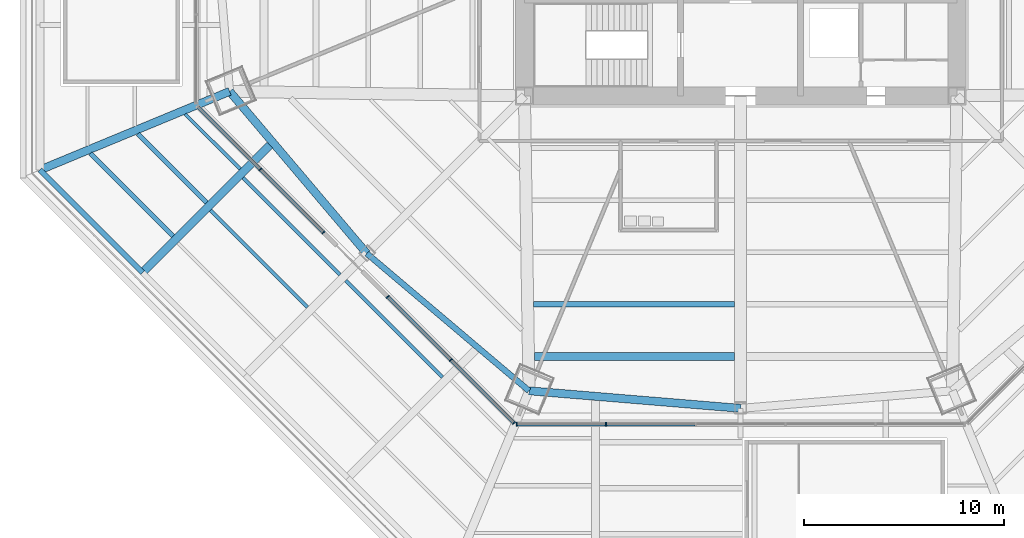
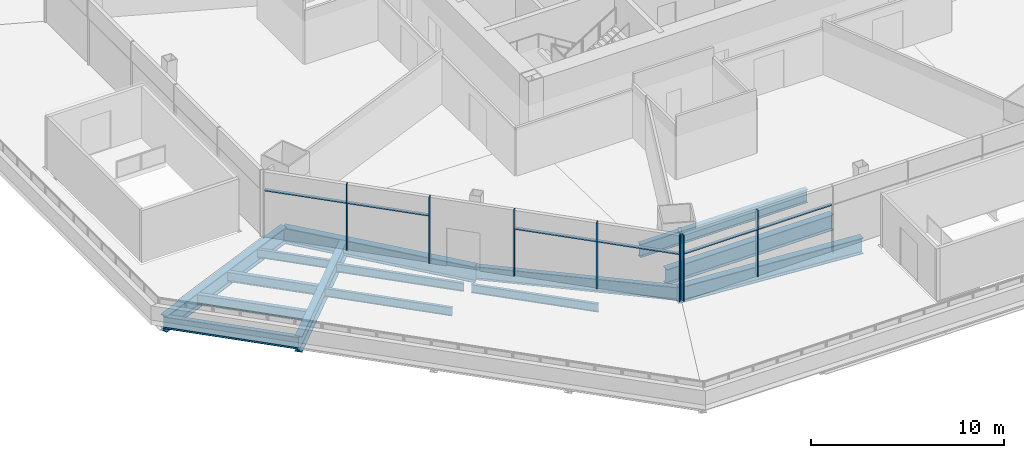
# One storey, part 2 of 25: 14 beams, 13 members, 3 elements without a shape of their own.
"""IFC4 building model written with IfcOpenShell, lengths in metres."""

from ifc_helpers import new_model, si_unit, direction, frame, origin, origin_2d, place, context, subcontext, project, spatial, rectangle, i_section, extrude, source, transform, mapped, material, material_profile, profile_set, type_object, type_shapes, element, aggregate, save


model = new_model("IFC4")

# Units and contexts
model_context = context("Model", 3, precision=1e-05, world=origin(), true_north=direction((0.0, 1.0)))
body_context = subcontext(model_context, "Body", "Model", "MODEL_VIEW")
ifc_project = project(units=[si_unit("LENGTHUNIT", "METRE"), si_unit("AREAUNIT", "SQUARE_METRE"), si_unit("VOLUMEUNIT", "CUBIC_METRE"), si_unit("PLANEANGLEUNIT", "RADIAN"), si_unit("MASSUNIT", "GRAM", prefix="KILO")], contexts=[model_context])

# Site, building, storey
site_placement = place(None, origin())
site = spatial("IfcSite", under=ifc_project, at=site_placement, CompositionType="ELEMENT")
building_placement = place(site_placement, origin())
building = spatial("IfcBuilding", under=site, at=building_placement, Name="Mashrafa Tower", CompositionType="ELEMENT")
storey_placement = place(building_placement, frame((0.0, 0.0, 28.800048828125)))
storey = spatial("IfcBuildingStorey", under=building, at=storey_placement, Name="L05", CompositionType="ELEMENT", Elevation=28.800048828125)

# Beams
ifc_material_1 = material(Name="Steel ASTM A992", Category="steel")
ifc_material_profile_1 = material_profile(ifc_material_1, i_section(OverallWidth=0.165771484375, OverallDepth=0.5283203125, WebThickness=0.009765625, FlangeThickness=0.013671875, FilletRadius=0.012939453125, at=origin_2d()), Name="W21X50")
ifc_profile_set_1 = profile_set([ifc_material_profile_1], Name="Steel ASTM A992")
beam_type_1 = type_object("IfcBeamType", Name="Beam W21X50", PredefinedType="BEAM", material=ifc_profile_set_1)
beam_1_placement = place(storey_placement, frame((-24.994140625, -14.458984375, -0.564208984375), z_axis=(-0.707138169791, 0.707075391189, 0.0), x_axis=(-0.707075391189, -0.707138169791, 0.0)))
element("IfcBeam", 1, at=beam_1_placement, inside=storey, type_object=beam_type_1, Name="Floor beam L05 017", PredefinedType="BEAM", context=body_context, shape_type="SweptSolid", body=[
    extrude(i_section(OverallWidth=0.165771484375, OverallDepth=0.5283203125, WebThickness=0.009765625, FlangeThickness=0.013671875, FilletRadius=0.012939453125, at=origin_2d()), origin(), (0.0, 0.0, 1.0), 3.888916015625),
])
for number, where, z_axis, x_axis, name in (
    (2, (-21.64013671875, -21.3564453125, -0.564208984375), (-0.707124607932, 0.707088953991, 0.0), (-0.707088953991, -0.707124607932, 0.0), "Floor beam L05 023"),
    (3, (-20.01513671875, -19.731201171875, -0.564208984375), (-0.707106781187, 0.707106781187, 0.0), (-0.707106781187, -0.707106781187, 0.0), "Floor beam L05 027"),
    (4, (-14.889404296875, -24.85693359375, -0.564208984375), (-0.707106781187, 0.707106781187, 0.0), (-0.707106781187, -0.707106781187, 0.0), "Floor beam L05 041"),
):
    element("IfcBeam", number, at=place(storey_placement, frame(where, z_axis=z_axis, x_axis=x_axis)), inside=storey, type_object=beam_type_1, Name=name, PredefinedType="BEAM", context=body_context, shape_type="SweptSolid", body=[
        extrude(i_section(OverallWidth=0.165771484375, OverallDepth=0.5283203125, WebThickness=0.009765625, FlangeThickness=0.013671875, FilletRadius=0.012939453125, at=origin_2d()), origin(), (0.0, 0.0, 1.0), 6.847412109375),
    ])
ifc_material_2 = material(Name="Steel ASTM A992", Category="steel")
ifc_material_profile_2 = material_profile(ifc_material_2, i_section(OverallWidth=0.227783203125, OverallDepth=0.60205078125, WebThickness=0.010498046875, FlangeThickness=0.014892578125, FilletRadius=0.012939453125, at=origin_2d()), Name="W24X68")
ifc_profile_set_2 = profile_set([ifc_material_profile_2], Name="Steel ASTM A992")
beam_type_2 = type_object("IfcBeamType", Name="Beam W24X68", PredefinedType="BEAM", material=ifc_profile_set_2)
beam_2_placement = place(storey_placement, frame((-26.668212890625, -16.133056640625, -0.60107421875), z_axis=(-0.707106781187, 0.707106781187, 0.0), x_axis=(-0.707106781187, -0.707106781187, 0.0)))
element("IfcBeam", 5, at=beam_2_placement, inside=storey, type_object=beam_type_2, Name="Floor beam L05 015", PredefinedType="BEAM", context=body_context, shape_type="SweptSolid", body=[
    extrude(i_section(OverallWidth=0.227783203125, OverallDepth=0.60205078125, WebThickness=0.010498046875, FlangeThickness=0.014892578125, FilletRadius=0.012939453125, at=origin_2d()), origin(), (0.0, 0.0, 1.0), 4.86962890625),
])
ifc_material_3 = material(Name="Steel ASTM A992", Category="steel")
ifc_material_profile_3 = material_profile(ifc_material_3, i_section(OverallWidth=0.22900390625, OverallDepth=0.612060546875, WebThickness=0.011962890625, FlangeThickness=0.01953125, FilletRadius=0.0126953125, at=origin_2d()), Name="W24X84")
ifc_profile_set_3 = profile_set([ifc_material_profile_3], Name="Steel ASTM A992")
beam_type_3 = type_object("IfcBeamType", Name="Beam W24X84", PredefinedType="BEAM", material=ifc_profile_set_3)
beam_3_placement = place(storey_placement, frame((-28.34228515625, -17.80712890625, -0.606201171875), z_axis=(-0.707106781187, 0.707106781187, 0.0), x_axis=(-0.707106781187, -0.707106781187, 0.0)))
element("IfcBeam", 6, at=beam_3_placement, inside=storey, type_object=beam_type_3, Name="Floor beam L05 010", PredefinedType="BEAM", context=body_context, shape_type="SweptSolid", body=[
    extrude(i_section(OverallWidth=0.22900390625, OverallDepth=0.612060546875, WebThickness=0.011962890625, FlangeThickness=0.01953125, FilletRadius=0.0126953125, at=origin_2d()), origin(), (0.0, 0.0, 1.0), 5.85009765625),
])
ifc_material_4 = material(Name="Steel ASTM A992", Category="steel")
ifc_material_profile_4 = material_profile(ifc_material_4, i_section(OverallWidth=0.2666015625, OverallDepth=0.761962890625, WebThickness=0.014404296875, FlangeThickness=0.021484375, FilletRadius=0.0166015625, at=origin_2d()), Name="W30X116")
ifc_profile_set_4 = profile_set([ifc_material_profile_4], Name="Steel ASTM A992")
beam_type_4 = type_object("IfcBeamType", Name="Beam W30X116", PredefinedType="BEAM", material=ifc_profile_set_4)
beam_4_placement = place(storey_placement, frame((-35.0, -14.49755859375, -0.68115234375), z_axis=(0.707106781187, -0.707106781187, 0.0), x_axis=(0.707106781187, 0.707106781187, 0.0)))
element("IfcBeam", 7, at=beam_4_placement, inside=storey, type_object=beam_type_4, Name="Podium edge beam L05 145", PredefinedType="BEAM", context=body_context, shape_type="SweptSolid", body=[
    extrude(i_section(OverallWidth=0.2666015625, OverallDepth=0.761962890625, WebThickness=0.014404296875, FlangeThickness=0.021484375, FilletRadius=0.0166015625, at=origin_2d()), origin(), (0.0, 0.0, 1.0), 7.24853515625),
])
ifc_material_5 = material(Name="Steel ASTM A992", Category="steel")
ifc_material_profile_5 = material_profile(ifc_material_5, i_section(OverallWidth=0.2919921875, OverallDepth=0.8408203125, WebThickness=0.0146484375, FlangeThickness=0.021728515625, FilletRadius=0.017333984375, at=origin_2d()), Name="W33X130")
ifc_profile_set_5 = profile_set([ifc_material_profile_5], Name="Steel ASTM A992")
beam_type_5 = type_object("IfcBeamType", Name="Beam W33X130", PredefinedType="BEAM", material=ifc_profile_set_5)
beam_5_placement = place(storey_placement, frame((-18.673583984375, -18.673583984375, -0.720458984375), z_axis=(0.763200370104, -0.646161895405, 0.0), x_axis=(0.646161895405, 0.763200370104, 0.0)))
element("IfcBeam", 8, at=beam_5_placement, inside=storey, type_object=beam_type_5, Name="Podium ring girder L05 220", PredefinedType="BEAM", context=body_context, shape_type="SweptSolid", body=[
    extrude(i_section(OverallWidth=0.2919921875, OverallDepth=0.8408203125, WebThickness=0.0146484375, FlangeThickness=0.021728515625, FilletRadius=0.017333984375, at=origin_2d()), origin(), (0.0, 0.0, 1.0), 10.611328125),
])
ifc_material_6 = material(Name="Steel ASTM A992", Category="steel")
ifc_material_profile_6 = material_profile(ifc_material_6, i_section(OverallWidth=0.2919921875, OverallDepth=0.845703125, WebThickness=0.015380859375, FlangeThickness=0.0244140625, FilletRadius=0.017333984375, at=origin_2d()), Name="W33X141")
ifc_profile_set_6 = profile_set([ifc_material_profile_6], Name="Steel ASTM A992")
beam_type_6 = type_object("IfcBeamType", Name="Beam W33X141", PredefinedType="BEAM", material=ifc_profile_set_6)
beam_6_placement = place(storey_placement, frame((-0.300048828125, -21.205810546875, -0.722900390625), z_axis=(-1.0, 0.0, 0.0), x_axis=(0.0, -1.0, 0.0)))
element("IfcBeam", 9, at=beam_6_placement, inside=storey, type_object=beam_type_6, Name="Floor beam L05 069", PredefinedType="BEAM", context=body_context, shape_type="SweptSolid", body=[
    extrude(i_section(OverallWidth=0.2919921875, OverallDepth=0.845703125, WebThickness=0.015380859375, FlangeThickness=0.0244140625, FilletRadius=0.017333984375, at=origin_2d()), origin(), (0.0, 0.0, 1.0), 10.041015625),
])
ifc_material_7 = material(Name="Steel ASTM A992", Category="steel")
ifc_material_profile_7 = material_profile(ifc_material_7, i_section(OverallWidth=0.4013671875, OverallDepth=0.98291015625, WebThickness=0.0166015625, FlangeThickness=0.027099609375, FilletRadius=0.0126953125, at=origin_2d()), Name="W40X199")
ifc_profile_set_7 = profile_set([ifc_material_profile_7], Name="Steel ASTM A992")
beam_type_7 = type_object("IfcBeamType", Name="Beam W40X199", PredefinedType="BEAM", material=ifc_profile_set_7)
beam_7_placement = place(storey_placement, frame((-0.300048828125, -23.80712890625, -0.79150390625), z_axis=(-1.0, 0.0, 0.0), x_axis=(0.0, -1.0, 0.0)))
element("IfcBeam", 10, at=beam_7_placement, inside=storey, type_object=beam_type_7, Name="Floor beam L05 068", PredefinedType="BEAM", context=body_context, shape_type="SweptSolid", body=[
    extrude(i_section(OverallWidth=0.4013671875, OverallDepth=0.98291015625, WebThickness=0.0166015625, FlangeThickness=0.027099609375, FilletRadius=0.0126953125, at=origin_2d()), origin(), (0.0, 0.0, 1.0), 10.001220703125),
])
ifc_material_8 = material(Name="Steel ASTM A992", Category="steel")
ifc_material_profile_8 = material_profile(ifc_material_8, i_section(OverallWidth=0.4013671875, OverallDepth=1.010986328125, WebThickness=0.023681640625, FlangeThickness=0.0419921875, FilletRadius=0.02001953125, at=origin_2d()), Name="W40X297")
ifc_profile_set_8 = profile_set([ifc_material_profile_8], Name="Steel ASTM A992")
beam_type_8 = type_object("IfcBeamType", Name="Beam W40X297", PredefinedType="BEAM", material=ifc_profile_set_8)
beam_8_placement = place(storey_placement, frame((-25.5302734375, -10.574951171875, -0.805419921875), z_axis=(-0.92387545374, -0.382693279242, 0.0), x_axis=(0.382693279242, -0.92387545374, 0.0)))
element("IfcBeam", 11, at=beam_8_placement, inside=storey, type_object=beam_type_8, Name="Podium radial beam L05 182", PredefinedType="BEAM", context=body_context, shape_type="SweptSolid", body=[
    extrude(i_section(OverallWidth=0.4013671875, OverallDepth=1.010986328125, WebThickness=0.023681640625, FlangeThickness=0.0419921875, FilletRadius=0.02001953125, at=origin_2d()), origin(), (0.0, 0.0, 1.0), 10.25),
])
beam_9_placement = place(storey_placement, frame((-23.51611328125, -13.2646484375, -0.805419921875), z_axis=(-0.707106781187, -0.707106781187, 0.0), x_axis=(0.707106781187, -0.707106781187, 0.0)))
element("IfcBeam", 12, at=beam_9_placement, inside=storey, type_object=beam_type_8, Name="Podium radial beam L05 184", PredefinedType="BEAM", context=body_context, shape_type="SweptSolid", body=[
    extrude(i_section(OverallWidth=0.4013671875, OverallDepth=1.010986328125, WebThickness=0.023681640625, FlangeThickness=0.0419921875, FilletRadius=0.02001953125, at=origin_2d()), origin(), (0.0, 0.0, 1.0), 8.9921875),
])
for number, where, z_axis, x_axis, name in (
    (13, (-25.5302734375, -10.574951171875, -0.805419921875), (0.646161895405, -0.763200370104, 0.0), (0.763200370104, 0.646161895405, 0.0), "Podium ring girder L05 218"),
    (14, (-10.574951171875, -25.5302734375, -0.805419921875), (0.996569676299, -0.082757962037, 0.0), (0.082757962037, 0.996569676299, 0.0), "Podium ring girder L05 222"),
):
    element("IfcBeam", number, at=place(storey_placement, frame(where, z_axis=z_axis, x_axis=x_axis)), inside=storey, type_object=beam_type_8, Name=name, PredefinedType="BEAM", context=body_context, shape_type="SweptSolid", body=[
        extrude(i_section(OverallWidth=0.4013671875, OverallDepth=1.010986328125, WebThickness=0.023681640625, FlangeThickness=0.0419921875, FilletRadius=0.02001953125, at=origin_2d()), origin(), (0.0, 0.0, 1.0), 10.611328125),
    ])

# Curtain wall, members
ifc_material_9 = material(Name="Unitised aluminium curtain wall", Category="aluminium")
curtain_wall_type = type_object("IfcCurtainWallType", Name="Office curtain wall, zone 1 CW-A 200 deep", PredefinedType="NOTDEFINED", material=ifc_material_9)
curtain_wall_1_placement = place(storey_placement, origin())
curtain_wall_1 = element("IfcCurtainWall", 15, at=curtain_wall_1_placement, inside=storey, type_object=curtain_wall_type, Name="Office curtain wall, zone 1 L05 south-west part 1", PredefinedType="NOTDEFINED")
ifc_material_10 = material(Name="Extruded aluminium mullion", Category="aluminium")
ifc_material_profile_9 = material_profile(ifc_material_10, rectangle(XDim=0.199951171875, YDim=0.06494140625, at=origin_2d()), Name="Mullion 65x200")
ifc_profile_set_9 = profile_set([ifc_material_profile_9], Name="Extruded aluminium mullion")
member_type_1 = type_object("IfcMemberType", Name="Mullion CW-A 65 x 200", PredefinedType="MULLION", material=ifc_profile_set_9)
shared_shape_1 = source(origin(), body_context, "Body", "SweptSolid", [
    extrude(rectangle(XDim=0.199951171875, YDim=0.06494140625, at=origin_2d()), origin(), (0.0, 0.0, 1.0), 4.199951171875),
])
type_shapes(member_type_1, [shared_shape_1])
member_1_placement = place(storey_placement, frame((-23.991455078125, -14.47509765625, 0.0), z_axis=(0.0, 0.0, 1.0), x_axis=(0.707106781187, 0.707106781187, 0.0)))
member_1 = element("IfcMember", 16, at=member_1_placement, type_object=member_type_1, Name="CW-A mullion 2", PredefinedType="MULLION", context=body_context, shape_type="MappedRepresentation", body=[
    mapped(shared_shape_1, transform((0.0, 0.0, 0.0))),
])
member_2_placement = place(storey_placement, frame((-20.84228515625, -17.624267578125, 0.0), z_axis=(0.0, 0.0, 1.0), x_axis=(0.707106781187, 0.707106781187, 0.0)))
member_2 = element("IfcMember", 17, at=member_2_placement, type_object=member_type_1, Name="CW-A mullion 3", PredefinedType="MULLION", context=body_context, shape_type="MappedRepresentation", body=[
    mapped(shared_shape_1, transform((0.0, 0.0, 0.0))),
])

curtain_wall_2_placement = place(storey_placement, origin())
curtain_wall_2 = element("IfcCurtainWall", 18, at=curtain_wall_2_placement, inside=storey, type_object=curtain_wall_type, Name="Office curtain wall, zone 1 L05 south-west part 2", PredefinedType="NOTDEFINED")
member_3_placement = place(storey_placement, frame((-17.624267578125, -20.84228515625, 0.0), z_axis=(0.0, 0.0, 1.0), x_axis=(0.707106781187, 0.707106781187, 0.0)))
member_3 = element("IfcMember", 19, at=member_3_placement, type_object=member_type_1, Name="CW-A mullion 1", PredefinedType="MULLION", context=body_context, shape_type="MappedRepresentation", body=[
    mapped(shared_shape_1, transform((0.0, 0.0, 0.0))),
])
member_4_placement = place(storey_placement, frame((-14.47509765625, -23.991455078125, 0.0), z_axis=(0.0, 0.0, 1.0), x_axis=(0.707106781187, 0.707106781187, 0.0)))
member_4 = element("IfcMember", 20, at=member_4_placement, type_object=member_type_1, Name="CW-A mullion 2", PredefinedType="MULLION", context=body_context, shape_type="MappedRepresentation", body=[
    mapped(shared_shape_1, transform((0.0, 0.0, 0.0))),
])
member_5_placement = place(storey_placement, frame((-11.325927734375, -27.140625, 0.0), z_axis=(0.0, 0.0, 1.0), x_axis=(0.707106781187, 0.707106781187, 0.0)))
member_5 = element("IfcMember", 21, at=member_5_placement, type_object=member_type_1, Name="CW-A mullion 3", PredefinedType="MULLION", context=body_context, shape_type="MappedRepresentation", body=[
    mapped(shared_shape_1, transform((0.0, 0.0, 0.0))),
])

curtain_wall_3_placement = place(storey_placement, origin())
curtain_wall_3 = element("IfcCurtainWall", 22, at=curtain_wall_3_placement, inside=storey, type_object=curtain_wall_type, Name="Office curtain wall, zone 1 L05 south", PredefinedType="NOTDEFINED")
member_6_placement = place(storey_placement, frame((-11.1826171875, -27.199951171875, 0.0), z_axis=(0.0, 0.0, 1.0), x_axis=(0.0, 1.0, 0.0)))
member_6 = element("IfcMember", 23, at=member_6_placement, type_object=member_type_1, Name="CW-A mullion 1", PredefinedType="MULLION", context=body_context, shape_type="MappedRepresentation", body=[
    mapped(shared_shape_1, transform((0.0, 0.0, 0.0))),
])
member_7_placement = place(storey_placement, frame((-6.72900390625, -27.199951171875, 0.0), z_axis=(0.0, 0.0, 1.0), x_axis=(0.0, 1.0, 0.0)))
member_7 = element("IfcMember", 24, at=member_7_placement, type_object=member_type_1, Name="CW-A mullion 2", PredefinedType="MULLION", context=body_context, shape_type="MappedRepresentation", body=[
    mapped(shared_shape_1, transform((0.0, 0.0, 0.0))),
])
ifc_material_11 = material(Name="Extruded aluminium transom", Category="aluminium")
ifc_material_profile_10 = material_profile(ifc_material_11, rectangle(XDim=0.159912109375, YDim=0.080078125, at=origin_2d()), Name="Transom 80x160")
ifc_profile_set_10 = profile_set([ifc_material_profile_10], Name="Extruded aluminium transom")
member_type_2 = type_object("IfcMemberType", Name="Transom CW-A 80 x 160", PredefinedType="MULLION", material=ifc_profile_set_10)
shared_shape_2 = source(origin(), body_context, "Body", "SweptSolid", [
    extrude(rectangle(XDim=0.159912109375, YDim=0.080078125, at=origin_2d()), origin(), (0.0, 0.0, 1.0), 4.388427734375),
])
member_8_placement = place(storey_placement, frame((-11.150146484375, -27.199951171875, 3.0), z_axis=(1.0, 0.0, 0.0), x_axis=(0.0, 1.0, 0.0)))
member_8 = element("IfcMember", 25, at=member_8_placement, type_object=member_type_2, Name="CW-A transom 1", PredefinedType="MULLION", context=body_context, shape_type="MappedRepresentation", body=[
    mapped(shared_shape_2, transform((0.0, 0.0, 0.0))),
])
shared_shape_3 = source(origin(), body_context, "Body", "SweptSolid", [
    extrude(rectangle(XDim=0.159912109375, YDim=0.080078125, at=origin_2d()), origin(), (0.0, 0.0, 1.0), 4.4208984375),
])
member_9_placement = place(storey_placement, frame((-6.696533203125, -27.199951171875, 3.0), z_axis=(1.0, 0.0, 0.0), x_axis=(0.0, 1.0, 0.0)))
member_9 = element("IfcMember", 26, at=member_9_placement, type_object=member_type_2, Name="CW-A transom 2", PredefinedType="MULLION", context=body_context, shape_type="MappedRepresentation", body=[
    mapped(shared_shape_3, transform((0.0, 0.0, 0.0))),
])
aggregate(curtain_wall_3, [member_6, member_7, member_8, member_9])

# Member
shared_shape_4 = source(origin(), body_context, "Body", "SweptSolid", [
    extrude(rectangle(XDim=0.159912109375, YDim=0.080078125, at=origin_2d()), origin(), (0.0, 0.0, 1.0), 4.388671875),
])
type_shapes(member_type_2, [shared_shape_2, shared_shape_3, shared_shape_4])
member_10_placement = place(storey_placement, frame((-27.11767578125, -11.348876953125, 3.0), z_axis=(0.707106781187, -0.707106781187, 0.0), x_axis=(0.707106781187, 0.707106781187, 0.0)))
member_10 = element("IfcMember", 27, at=member_10_placement, type_object=member_type_2, Name="CW-A transom 1", PredefinedType="MULLION", context=body_context, shape_type="MappedRepresentation", body=[
    mapped(shared_shape_4, transform((0.0, 0.0, 0.0))),
])

member_11_placement = place(storey_placement, frame((-23.968505859375, -14.498046875, 3.0), z_axis=(0.707106781187, -0.707106781187, 0.0), x_axis=(0.707106781187, 0.707106781187, 0.0)))
member_11 = element("IfcMember", 28, at=member_11_placement, type_object=member_type_2, Name="CW-A transom 2", PredefinedType="MULLION", context=body_context, shape_type="MappedRepresentation", body=[
    mapped(shared_shape_4, transform((0.0, 0.0, 0.0))),
])

aggregate(curtain_wall_1, [member_1, member_2, member_10, member_11])

member_12_placement = place(storey_placement, frame((-17.601318359375, -20.865234375, 3.0), z_axis=(0.707106781187, -0.707106781187, 0.0), x_axis=(0.707106781187, 0.707106781187, 0.0)))
member_12 = element("IfcMember", 29, at=member_12_placement, type_object=member_type_2, Name="CW-A transom 1", PredefinedType="MULLION", context=body_context, shape_type="MappedRepresentation", body=[
    mapped(shared_shape_4, transform((0.0, 0.0, 0.0))),
])

member_13_placement = place(storey_placement, frame((-14.4521484375, -24.014404296875, 3.0), z_axis=(0.707106781187, -0.707106781187, 0.0), x_axis=(0.707106781187, 0.707106781187, 0.0)))
member_13 = element("IfcMember", 30, at=member_13_placement, type_object=member_type_2, Name="CW-A transom 2", PredefinedType="MULLION", context=body_context, shape_type="MappedRepresentation", body=[
    mapped(shared_shape_4, transform((0.0, 0.0, 0.0))),
])

aggregate(curtain_wall_2, [member_3, member_4, member_5, member_12, member_13])

save(model, "model.ifc")
